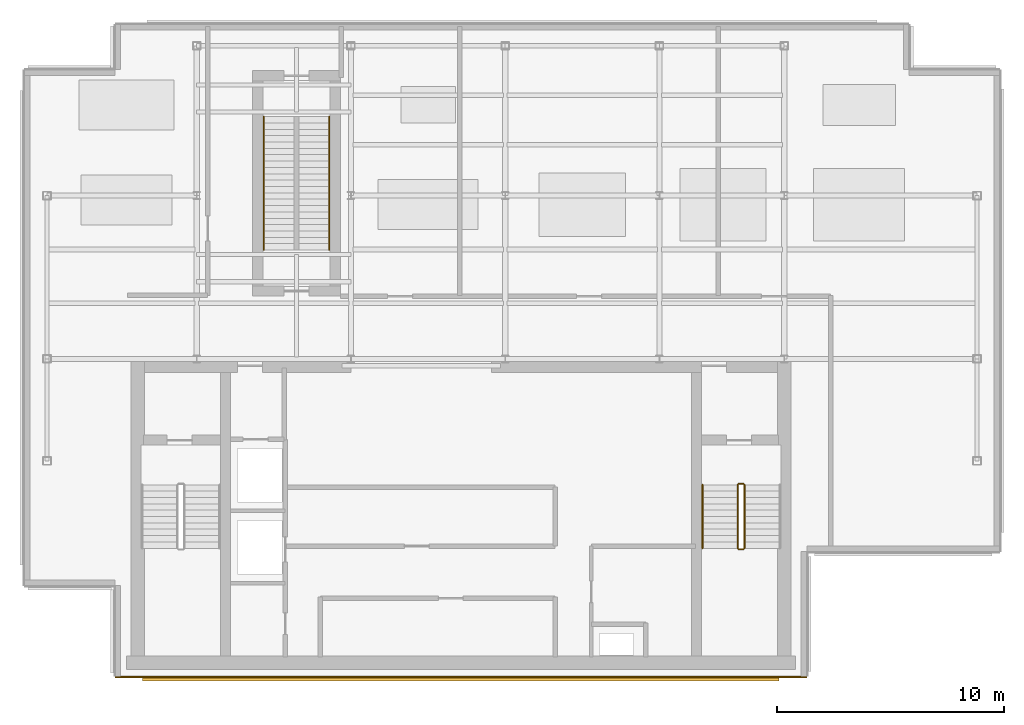
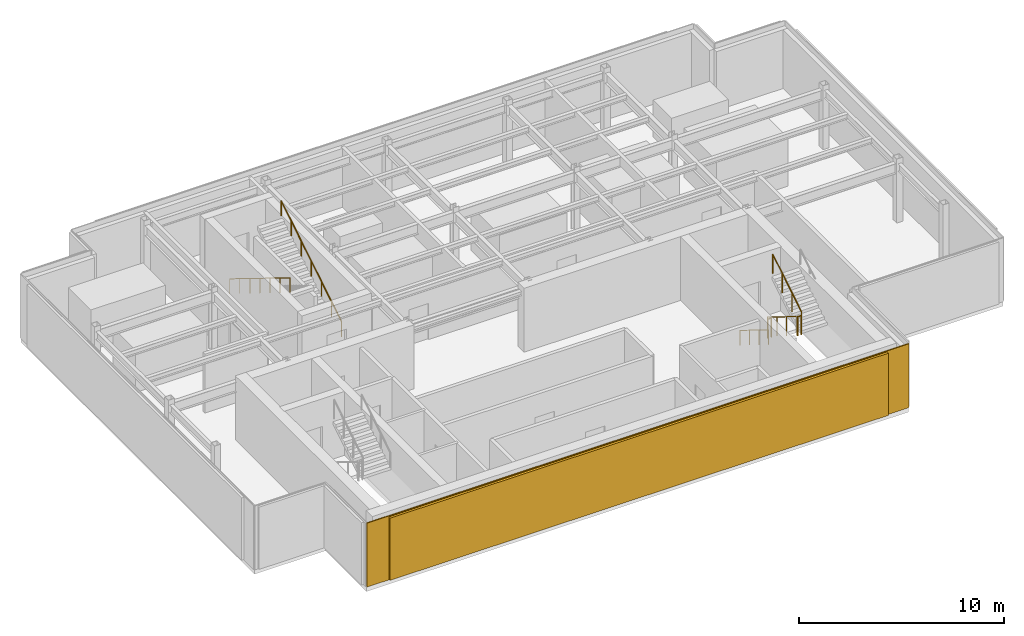
# One storey, part 5 of 7: 7 railings, 1 covering, 1 shading device.
"""IFC4 building model written with IfcOpenShell, lengths in metres."""

from ifc_helpers import new_model, si_unit, derived_unit, direction, frame, origin, origin_2d, place, context, subcontext, project, spatial, rectangle, circle, extrude, source, transform, mapped, material, layer, layer_set, type_object, element, save


model = new_model("IFC4")

# Units and contexts
model_context = context("Model", 3, precision=1e-05, world=origin(), true_north=direction((0.0, 1.0)))
body_context = subcontext(model_context, "Body", "Model", "MODEL_VIEW")
ifc_project = project(units=[si_unit("LENGTHUNIT", "METRE"), si_unit("AREAUNIT", "SQUARE_METRE"), si_unit("VOLUMEUNIT", "CUBIC_METRE"), si_unit("PLANEANGLEUNIT", "RADIAN"), si_unit("MASSUNIT", "GRAM", prefix="KILO"), derived_unit("THERMALTRANSMITTANCEUNIT", [(si_unit("POWERUNIT", "WATT"), 1), (si_unit("LENGTHUNIT", "METRE"), -2), (si_unit("THERMODYNAMICTEMPERATUREUNIT", "KELVIN"), -1)])], contexts=[model_context])

# Site, building, storey
site_placement = place(None, origin())
site = spatial("IfcSite", under=ifc_project, at=site_placement, CompositionType="ELEMENT")
building_placement = place(site_placement, origin())
building = spatial("IfcBuilding", under=site, at=building_placement, Name="Skarnbrae Concourse Arena and Tower", CompositionType="ELEMENT")
storey_placement = place(building_placement, frame((0.0, 0.0, 303.64990234375)))
storey = spatial("IfcBuildingStorey", under=building, at=storey_placement, Name="L79", CompositionType="ELEMENT", Elevation=303.64990234375)

# Railings
ifc_material_1 = material(Name="Steel CSA G40.21 350W", Category="steel")
railing_type_1 = type_object("IfcRailingType", Name="RAIL-HANDRAIL-900", PredefinedType="HANDRAIL", material=ifc_material_1)
railing_1_placement = place(storey_placement, frame((29.89990234375, 8.449951171875, 0.1728515625)))
element("IfcRailing", 1, at=railing_1_placement, inside=storey, type_object=railing_type_1, Name="L79 ST-2 stair handrail 1", PredefinedType="HANDRAIL", context=body_context, shape_type="SweptSolid", body=[
    extrude(circle(Radius=0.02392578125, at=origin_2d()), frame((0.0, 0.0, 0.8759765625), z_axis=(0.0, -0.851089632645, 0.525020415988), x_axis=(1.0, 0.0, 0.0)), (0.0, 0.0, 1.0), 3.2900390625),
    extrude(circle(Radius=0.02099609375, at=origin_2d()), origin(), (0.0, 0.0, 1.0), 0.851806640625),
    extrude(circle(Radius=0.02099609375, at=origin_2d()), frame((0.0, -0.933349609375, 0.57568359375)), (0.0, 0.0, 1.0), 0.851806640625),
    extrude(circle(Radius=0.02099609375, at=origin_2d()), frame((0.0, -1.86669921875, 1.151611328125)), (0.0, 0.0, 1.0), 0.851806640625),
    extrude(circle(Radius=0.02099609375, at=origin_2d()), frame((0.0, -2.800048828125, 1.727294921875)), (0.0, 0.0, 1.0), 0.851806640625),
])
railing_2_placement = place(storey_placement, frame((13.449951171875, 18.800048828125, 0.1728515625)))
element("IfcRailing", 2, at=railing_2_placement, inside=storey, type_object=railing_type_1, Name="L79 ST-CRWN stair handrail 1", PredefinedType="HANDRAIL", context=body_context, shape_type="SweptSolid", body=[
    extrude(circle(Radius=0.02392578125, at=origin_2d()), frame((0.0, 0.0, 0.8759765625), z_axis=(0.0, 0.851088761127, 0.525021828769), x_axis=(-1.0, 0.0, 0.0)), (0.0, 0.0, 1.0), 6.90869140625),
    extrude(circle(Radius=0.02099609375, at=origin_2d()), origin(), (0.0, 0.0, 1.0), 0.851806640625),
    extrude(circle(Radius=0.02099609375, at=origin_2d()), frame((0.0, 0.97998046875, 0.6044921875)), (0.0, 0.0, 1.0), 0.851806640625),
    extrude(circle(Radius=0.02099609375, at=origin_2d()), frame((0.0, 1.9599609375, 1.208984375)), (0.0, 0.0, 1.0), 0.851806640625),
    extrude(circle(Radius=0.02099609375, at=origin_2d()), frame((0.0, 2.93994140625, 1.8134765625)), (0.0, 0.0, 1.0), 0.851806640625),
    extrude(circle(Radius=0.02099609375, at=origin_2d()), frame((0.0, 3.919921875, 2.418212890625)), (0.0, 0.0, 1.0), 0.851806640625),
    extrude(circle(Radius=0.02099609375, at=origin_2d()), frame((0.0, 4.89990234375, 3.022705078125)), (0.0, 0.0, 1.0), 0.851806640625),
    extrude(circle(Radius=0.02099609375, at=origin_2d()), frame((0.0, 5.8798828125, 3.627197265625)), (0.0, 0.0, 1.0), 0.851806640625),
])
railing_3_placement = place(storey_placement, frame((10.550048828125, 24.679931640625, 0.1728515625)))
element("IfcRailing", 3, at=railing_3_placement, inside=storey, type_object=railing_type_1, Name="L79 ST-CRWN stair handrail 1", PredefinedType="HANDRAIL", context=body_context, shape_type="SweptSolid", body=[
    extrude(circle(Radius=0.02392578125, at=origin_2d()), frame((0.0, 0.0, 0.8759765625), z_axis=(0.0, -0.851088761127, 0.525021828769), x_axis=(1.0, 0.0, 0.0)), (0.0, 0.0, 1.0), 6.90869140625),
    extrude(circle(Radius=0.02099609375, at=origin_2d()), origin(), (0.0, 0.0, 1.0), 0.851806640625),
    extrude(circle(Radius=0.02099609375, at=origin_2d()), frame((0.0, -0.97998046875, 0.6044921875)), (0.0, 0.0, 1.0), 0.851806640625),
    extrude(circle(Radius=0.02099609375, at=origin_2d()), frame((0.0, -1.9599609375, 1.208984375)), (0.0, 0.0, 1.0), 0.851806640625),
    extrude(circle(Radius=0.02099609375, at=origin_2d()), frame((0.0, -2.93994140625, 1.8134765625)), (0.0, 0.0, 1.0), 0.851806640625),
    extrude(circle(Radius=0.02099609375, at=origin_2d()), frame((0.0, -3.919921875, 2.418212890625)), (0.0, 0.0, 1.0), 0.851806640625),
    extrude(circle(Radius=0.02099609375, at=origin_2d()), frame((0.0, -4.89990234375, 3.022705078125)), (0.0, 0.0, 1.0), 0.851806640625),
    extrude(circle(Radius=0.02099609375, at=origin_2d()), frame((0.0, -5.8798828125, 3.627197265625)), (0.0, 0.0, 1.0), 0.851806640625),
])
railing_type_2 = type_object("IfcRailingType", Name="RAIL-STAIR-GUARD-1150", PredefinedType="GUARDRAIL", material=ifc_material_1)
railing_4_placement = place(storey_placement, frame((31.449951171875, 8.449951171875, 0.1728515625)))
element("IfcRailing", 4, at=railing_4_placement, inside=storey, type_object=railing_type_2, Name="L79 ST-2 stair guard 1", PredefinedType="GUARDRAIL", context=body_context, shape_type="SweptSolid", body=[
    extrude(circle(Radius=0.02392578125, at=origin_2d()), frame((0.0, 0.0, 1.1259765625), z_axis=(0.0, -0.851089632645, 0.525020415988), x_axis=(1.0, 0.0, 0.0)), (0.0, 0.0, 1.0), 3.2900390625),
    extrude(circle(Radius=0.02099609375, at=origin_2d()), origin(), (0.0, 0.0, 1.0), 1.101806640625),
    extrude(circle(Radius=0.02099609375, at=origin_2d()), frame((0.0, -0.933349609375, 0.57568359375)), (0.0, 0.0, 1.0), 1.101806640625),
    extrude(circle(Radius=0.02099609375, at=origin_2d()), frame((0.0, -1.86669921875, 1.151611328125)), (0.0, 0.0, 1.0), 1.101806640625),
    extrude(circle(Radius=0.02099609375, at=origin_2d()), frame((0.0, -2.800048828125, 1.727294921875)), (0.0, 0.0, 1.0), 1.101806640625),
])
railing_5_placement = place(storey_placement, frame((31.5, 5.60009765625, 1.900146484375)))
element("IfcRailing", 5, at=railing_5_placement, inside=storey, type_object=railing_type_2, Name="L79 ST-2 stair guard 2", PredefinedType="GUARDRAIL", context=body_context, shape_type="SweptSolid", body=[
    extrude(circle(Radius=0.02392578125, at=origin_2d()), frame((0.0, 0.0, 1.1259765625), z_axis=(1.0, 0.0, 0.0), x_axis=(0.0, 1.0, 0.0)), (0.0, 0.0, 1.0), 0.199951171875),
    extrude(circle(Radius=0.02099609375, at=origin_2d()), origin(), (0.0, 0.0, 1.0), 1.101806640625),
    extrude(circle(Radius=0.02099609375, at=origin_2d()), frame((0.199951171875, 0.0, 0.0)), (0.0, 0.0, 1.0), 1.101806640625),
])
railing_6_placement = place(storey_placement, frame((31.75, 5.64990234375, 2.07275390625)))
element("IfcRailing", 6, at=railing_6_placement, inside=storey, type_object=railing_type_2, Name="L79 ST-2 stair guard 3", PredefinedType="GUARDRAIL", context=body_context, shape_type="SweptSolid", body=[
    extrude(circle(Radius=0.02392578125, at=origin_2d()), frame((0.0, 0.0, 1.1259765625), z_axis=(0.0, 0.851089632645, 0.525020415988), x_axis=(-1.0, 0.0, 0.0)), (0.0, 0.0, 1.0), 3.2900390625),
    extrude(circle(Radius=0.02099609375, at=origin_2d()), origin(), (0.0, 0.0, 1.0), 1.101806640625),
    extrude(circle(Radius=0.02099609375, at=origin_2d()), frame((0.0, 0.933349609375, 0.57568359375)), (0.0, 0.0, 1.0), 1.101806640625),
    extrude(circle(Radius=0.02099609375, at=origin_2d()), frame((0.0, 1.86669921875, 1.151611328125)), (0.0, 0.0, 1.0), 1.101806640625),
    extrude(circle(Radius=0.02099609375, at=origin_2d()), frame((0.0, 2.800048828125, 1.727294921875)), (0.0, 0.0, 1.0), 1.101806640625),
])
railing_7_placement = place(storey_placement, frame((31.5, 8.5, 0.0)))
element("IfcRailing", 7, at=railing_7_placement, inside=storey, type_object=railing_type_2, Name="L79 ST-2 stair guard 4", PredefinedType="GUARDRAIL", context=body_context, shape_type="SweptSolid", body=[
    extrude(circle(Radius=0.02392578125, at=origin_2d()), frame((0.0, 0.0, 1.1259765625), z_axis=(1.0, 0.0, 0.0), x_axis=(0.0, 1.0, 0.0)), (0.0, 0.0, 1.0), 0.199951171875),
    extrude(circle(Radius=0.02099609375, at=origin_2d()), origin(), (0.0, 0.0, 1.0), 1.101806640625),
    extrude(circle(Radius=0.02099609375, at=origin_2d()), frame((0.199951171875, 0.0, 0.0)), (0.0, 0.0, 1.0), 1.101806640625),
])

# Covering
ifc_material_2 = material(Name="Bronze anodised aluminium 6063-T6", Category="aluminium")
ifc_layer = layer(ifc_material_2, 0.06005859375)
ifc_layer_set = layer_set([ifc_layer], Name="Bronze anodised aluminium 6063-T6")
covering_type = type_object("IfcCoveringType", Name="COV-CLAD-BRONZE-60", PredefinedType="CLADDING", material=ifc_layer_set)
shared_shape_1 = source(origin(), body_context, "Body", "SweptSolid", [
    extrude(rectangle(XDim=30.5, YDim=0.06005859375, at=origin_2d()), origin(), (0.0, 0.0, 1.0), 3.800048828125),
])
covering_placement = place(storey_placement, frame((19.25, -0.030029296875, 0.0), z_axis=(0.0, 0.0, 1.0), x_axis=(1.0, 0.0, 0.0)))
element("IfcCovering", 8, at=covering_placement, inside=storey, type_object=covering_type, Name="L79 Bronze crown rainscreen cladding 01", PredefinedType="CLADDING", context=body_context, shape_type="MappedRepresentation", body=[
    mapped(shared_shape_1, transform((0.0, 0.0, 0.0))),
])

# Shading device
shading_device_type = type_object("IfcShadingDeviceType", Name="SHD-BRONZE-LOUVRE-150", PredefinedType="USERDEFINED", material=ifc_material_2)
shared_shape_2 = source(origin(), body_context, "Body", "SweptSolid", [
    extrude(rectangle(XDim=28.06005859375, YDim=0.139892578125, at=origin_2d()), origin(), (0.0, 0.0, 1.0), 3.699951171875),
])
shading_device_placement = place(storey_placement, frame((19.25, -0.1201171875, 0.05029296875), z_axis=(0.0, 0.0, 1.0), x_axis=(1.0, 0.0, 0.0)))
element("IfcShadingDevice", 9, at=shading_device_placement, inside=storey, type_object=shading_device_type, Name="L79 Crown bronze architectural louvre screen 01", ObjectType="LOUVRE", PredefinedType="USERDEFINED", context=body_context, shape_type="MappedRepresentation", body=[
    mapped(shared_shape_2, transform((0.0, 0.0, 0.0))),
])

save(model, "model.ifc")
